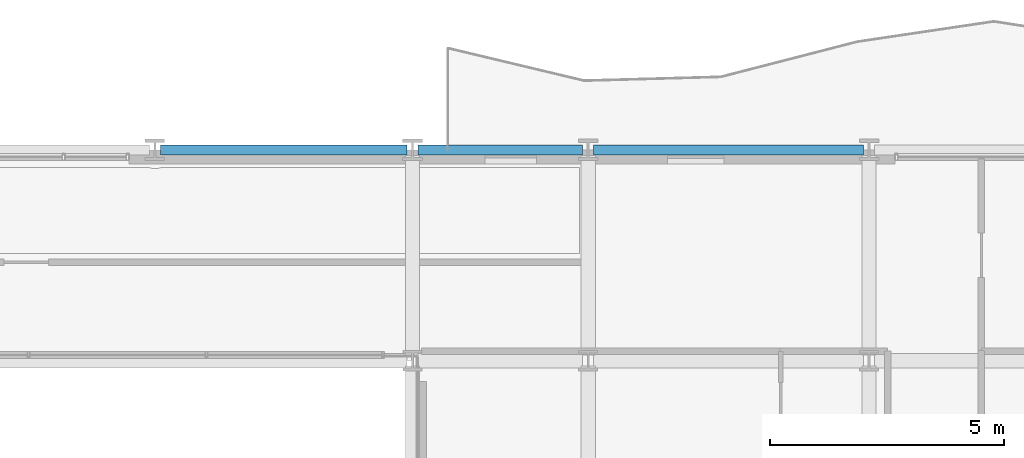
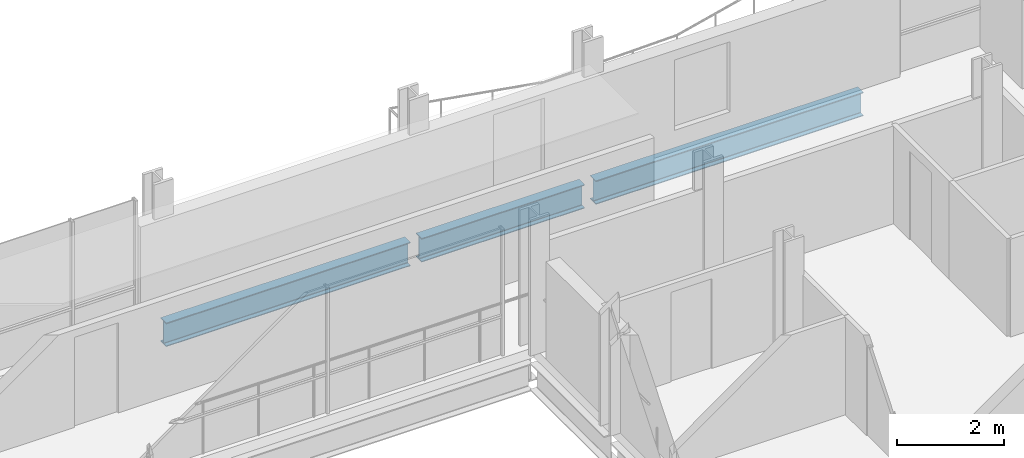
# One storey, part 23 of 40: 3 beams.
"""IFC4 building model written with IfcOpenShell, lengths in metres."""

from ifc_helpers import new_model, si_unit, direction, frame, origin, origin_2d, place, context, subcontext, project, spatial, i_section, extrude, material, material_profile, profile_set, type_object, element, save


model = new_model("IFC4")

# Units and contexts
model_context = context("Model", 3, precision=1e-05, world=origin(), true_north=direction((0.0, 1.0)))
body_context = subcontext(model_context, "Body", "Model", "MODEL_VIEW")
ifc_project = project(units=[si_unit("LENGTHUNIT", "METRE"), si_unit("AREAUNIT", "SQUARE_METRE"), si_unit("VOLUMEUNIT", "CUBIC_METRE"), si_unit("PLANEANGLEUNIT", "RADIAN"), si_unit("MASSUNIT", "GRAM", prefix="KILO")], contexts=[model_context])

# Site, building, storey
site_placement = place(None, origin())
site = spatial("IfcSite", under=ifc_project, at=site_placement, CompositionType="ELEMENT")
building_placement = place(site_placement, origin())
building = spatial("IfcBuilding", under=site, at=building_placement, Name="Brevholm Reach", CompositionType="ELEMENT")
storey_placement = place(building_placement, frame((0.0, 0.0, 80.699951171875)))
storey = spatial("IfcBuildingStorey", under=building, at=storey_placement, Name="L23", CompositionType="ELEMENT", Elevation=80.699951171875)

# Beams
ifc_material = material(Name="Structural Steel S355J2", Category="steel")
ifc_material_profile = material_profile(ifc_material, i_section(OverallWidth=0.210693359375, OverallDepth=0.53955078125, WebThickness=0.01171875, FlangeThickness=0.018798828125, FilletRadius=0.0126953125, at=origin_2d()), Name="UKB 533x210x109")
ifc_profile_set = profile_set([ifc_material_profile], Name="Structural Steel S355J2")
beam_type = type_object("IfcBeamType", Name="BM-SP539", PredefinedType="SPANDREL", material=ifc_profile_set)
beam_1_placement = place(storey_placement, frame((32.8701171875, 31.0, -0.499755859375), z_axis=(1.0, 0.0, 0.0), x_axis=(0.0, 1.0, 0.0)))
element("IfcBeam", 1, at=beam_1_placement, inside=storey, type_object=beam_type, Name="L23 SP-01B Framing Beam", PredefinedType="SPANDREL", context=body_context, shape_type="SweptSolid", body=[
    extrude(i_section(OverallWidth=0.210693359375, OverallDepth=0.53955078125, WebThickness=0.01171875, FlangeThickness=0.018798828125, FilletRadius=0.0126953125, at=origin_2d()), origin(), (0.0, 0.0, 1.0), 5.259765625),
])
beam_2_placement = place(storey_placement, frame((38.3701171875, 31.0, -0.499755859375), z_axis=(1.0, 0.0, 0.0), x_axis=(0.0, 1.0, 0.0)))
element("IfcBeam", 2, at=beam_2_placement, inside=storey, type_object=beam_type, Name="L23 SP-01B Framing Beam", PredefinedType="SPANDREL", context=body_context, shape_type="SweptSolid", body=[
    extrude(i_section(OverallWidth=0.210693359375, OverallDepth=0.53955078125, WebThickness=0.01171875, FlangeThickness=0.018798828125, FilletRadius=0.0126953125, at=origin_2d()), origin(), (0.0, 0.0, 1.0), 3.509765625),
])
beam_3_placement = place(storey_placement, frame((42.1201171875, 31.0, -0.499755859375), z_axis=(1.0, 0.0, 0.0), x_axis=(0.0, 1.0, 0.0)))
element("IfcBeam", 3, at=beam_3_placement, inside=storey, type_object=beam_type, Name="L23 SP-01B Framing Beam", PredefinedType="SPANDREL", context=body_context, shape_type="SweptSolid", body=[
    extrude(i_section(OverallWidth=0.210693359375, OverallDepth=0.53955078125, WebThickness=0.01171875, FlangeThickness=0.018798828125, FilletRadius=0.0126953125, at=origin_2d()), origin(), (0.0, 0.0, 1.0), 5.759765625),
])

save(model, "model.ifc")
